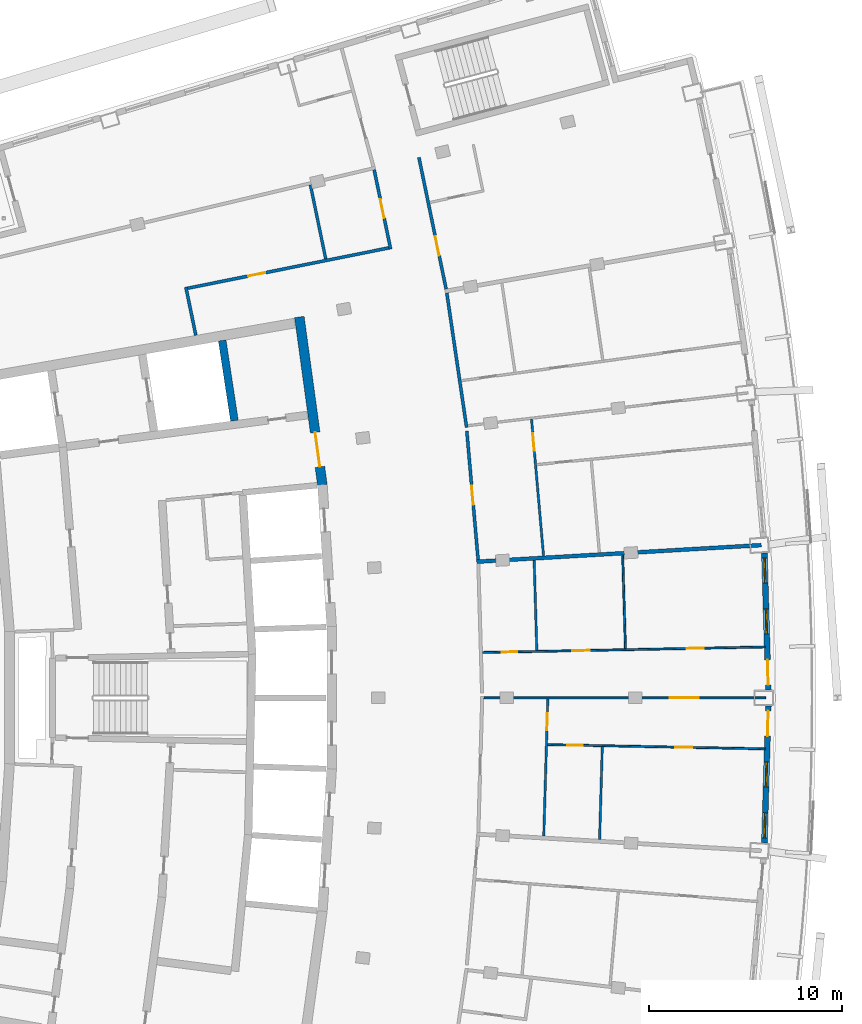
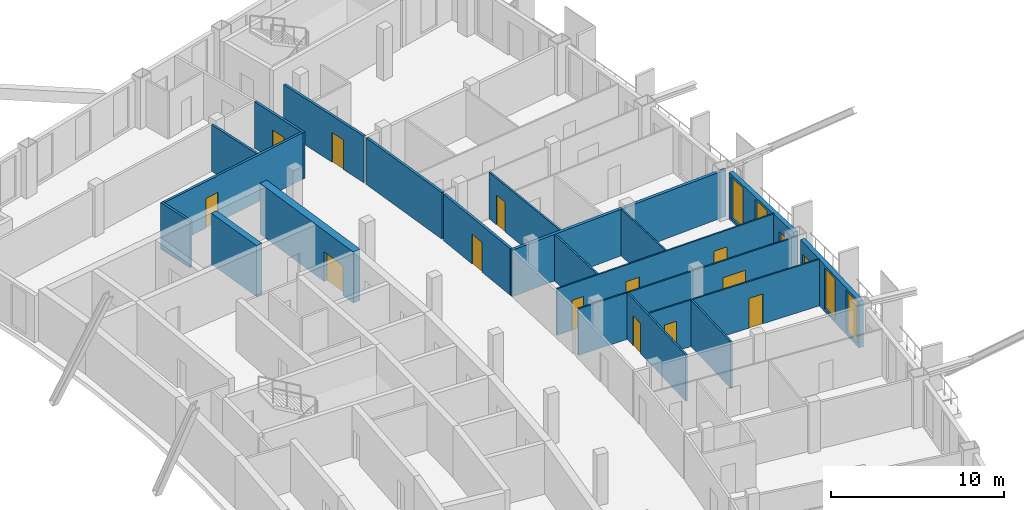
# One storey, part 11 of 17: 20 walls, 15 doors, 4 windows, 19 openings.
"""IFC4 building model written with IfcOpenShell, lengths in metres."""

from ifc_helpers import new_model, si_unit, direction, frame, frame_2d, origin, place, context, subcontext, project, spatial, rectangle, extrude, material, layer, layer_set, type_object, element, fill, save


model = new_model("IFC4")

# Units and contexts
model_context = context("Model", 3, precision=1e-05, world=origin(), true_north=direction((0.0, 1.0)))
body_context = subcontext(model_context, "Body", "Model", "MODEL_VIEW")
ifc_project = project(units=[si_unit("LENGTHUNIT", "METRE"), si_unit("AREAUNIT", "SQUARE_METRE"), si_unit("VOLUMEUNIT", "CUBIC_METRE"), si_unit("PLANEANGLEUNIT", "RADIAN"), si_unit("MASSUNIT", "GRAM", prefix="KILO")], contexts=[model_context])

# Site, building, storey
site_placement = place(None, origin())
site = spatial("IfcSite", under=ifc_project, at=site_placement, CompositionType="ELEMENT")
building_placement = place(site_placement, origin())
building = spatial("IfcBuilding", under=site, at=building_placement, Name="Alderwake Tower", CompositionType="ELEMENT")
storey_placement = place(building_placement, frame((0.0, 0.0, 278.0)))
storey = spatial("IfcBuildingStorey", under=building, at=storey_placement, Name="L69", CompositionType="ELEMENT", Elevation=278.0)

# Wall, opening, door
ifc_material_1 = material(Name="Concrete C70/85", Category="concrete")
ifc_layer_1 = layer(ifc_material_1, 0.5)
ifc_layer_set_1 = layer_set([ifc_layer_1], Name="Core wall outer 500 C70-85")
wall_type_1 = type_object("IfcWallType", Name="Core wall outer 500 C70-85", PredefinedType="SHEAR", material=ifc_layer_set_1)
wall_1_placement = place(storey_placement, frame((31.71728515625, 80.752685546875, 0.0), z_axis=(0.0, 0.0, 1.0), x_axis=(0.1358539401, -0.990728876615, 0.0)))
wall_1 = element("IfcWall", 1, at=wall_1_placement, inside=storey, type_object=wall_type_1, Name="Core wall CW.019", PredefinedType="SHEAR", context=body_context, shape_type="SweptSolid", body=[
    extrude(rectangle(XDim=8.794921875, YDim=0.5, at=frame_2d((4.3974609375, 0.0))), origin(), (0.0, 0.0, 1.0), 3.60009765625),
])
opening_1_placement = place(wall_1_placement, frame((6.0419921875, 0.0, 0.0)))
opening_1 = element("IfcOpeningElement", 2, at=opening_1_placement, cuts=wall_1, Name="Opening C001", PredefinedType="OPENING", context=body_context, shape_type="SweptSolid", body=[
    extrude(rectangle(XDim=1.800048828125, YDim=2.10009765625, at=frame_2d((0.89990234375, 1.050048828125))), frame((0.0, 0.260009765625, 0.0), z_axis=(0.0, -1.0, 0.0), x_axis=(1.0, 0.0, 0.0)), (0.0, 0.0, 1.0), 0.52001953125),
])
ifc_material_2 = material(Name="Steel-framed fire door leaves", Category="steel")
door_type_1 = type_object("IfcDoorType", Name="Core double door 1800 fire-rated", OperationType="DOUBLE_DOOR_SINGLE_SWING", PredefinedType="DOOR", material=ifc_material_2)
door_1_placement = place(opening_1_placement, origin())
door_1 = element("IfcDoor", 3, at=door_1_placement, inside=storey, type_object=door_type_1, Name="Lobby double door", OperationType="DOUBLE_DOOR_SINGLE_SWING", OverallHeight=2.10009765625, OverallWidth=1.800048828125, PredefinedType="DOOR", context=body_context, shape_type="SweptSolid", body=[
    extrude(rectangle(XDim=1.800048828125, YDim=2.10009765625, at=frame_2d((0.89990234375, 1.050048828125))), frame((0.0, 0.02490234375, 0.0), z_axis=(0.0, -1.0, 0.0), x_axis=(1.0, 0.0, 0.0)), (0.0, 0.0, 1.0), 0.050048828125),
])
fill(opening_1, door_1)

# Walls
ifc_material_3 = material(Name="Concrete C70/85", Category="concrete")
ifc_layer_2 = layer(ifc_material_3, 0.39990234375)
ifc_layer_set_2 = layer_set([ifc_layer_2], Name="Core wall spine 400 C70-85")
wall_type_2 = type_object("IfcWallType", Name="Core wall spine 400 C70-85", PredefinedType="SHEAR", material=ifc_layer_set_2)
wall_2_placement = place(storey_placement, frame((28.350830078125, 75.373291015625, 0.0), z_axis=(0.0, 0.0, 1.0), x_axis=(-0.150576223774, 0.988598402201, 0.0)))
element("IfcWall", 4, at=wall_2_placement, inside=storey, type_object=wall_type_2, Name="Core wall CW.001", PredefinedType="SHEAR", context=body_context, shape_type="SweptSolid", body=[
    extrude(rectangle(XDim=4.21240234375, YDim=0.39990234375, at=frame_2d((2.106201171875, 0.0))), origin(), (0.0, 0.0, 1.0), 3.60009765625),
])
ifc_material_4 = material(Name="Gypsum board on metal studs, rated")
ifc_layer_3 = layer(ifc_material_4, 0.159912109375)
ifc_layer_set_3 = layer_set([ifc_layer_3], Name="Corridor wall 160")
wall_type_3 = type_object("IfcWallType", Name="Corridor wall 160", PredefinedType="PARTITIONING", material=ifc_layer_set_3)
wall_3_placement = place(storey_placement, frame((25.831787109375, 82.305419921875, 0.0), z_axis=(0.0, 0.0, 1.0), x_axis=(0.202450797205, -0.979292435747, 0.0)))
element("IfcWall", 5, at=wall_3_placement, inside=storey, type_object=wall_type_3, Name="WL/L69/W12", PredefinedType="PARTITIONING", context=body_context, shape_type="SweptSolid", body=[
    extrude(rectangle(XDim=2.555419921875, YDim=0.159912109375, at=frame_2d((1.27783203125, 0.0))), origin(), (0.0, 0.0, 1.0), 3.280029296875),
])

# Wall, opening, door
wall_4_placement = place(storey_placement, frame((36.451416015625, 84.272705078125, 0.0), z_axis=(0.0, 0.0, 1.0), x_axis=(-0.20329833965, 0.979116839348, 0.0)))
wall_4 = element("IfcWall", 6, at=wall_4_placement, inside=storey, type_object=wall_type_3, Name="WL/L69/W15", PredefinedType="PARTITIONING", context=body_context, shape_type="SweptSolid", body=[
    extrude(rectangle(XDim=4.206787109375, YDim=0.159912109375, at=frame_2d((2.103515625, 0.0))), origin(), (0.0, 0.0, 1.0), 3.280029296875),
])
opening_2_placement = place(wall_4_placement, frame((1.642822265625, 0.0, 0.0)))
opening_2 = element("IfcOpeningElement", 7, at=opening_2_placement, cuts=wall_4, Name="Opening R20-SBN2", PredefinedType="OPENING", context=body_context, shape_type="SweptSolid", body=[
    extrude(rectangle(XDim=1.0, YDim=2.10009765625, at=frame_2d((0.5, 1.050048828125))), frame((0.0, 0.08984375, 0.0), z_axis=(0.0, -1.0, 0.0), x_axis=(1.0, 0.0, 0.0)), (0.0, 0.0, 1.0), 0.179931640625),
])
ifc_material_5 = material(Name="Steel-framed fire door leaf", Category="steel")
door_type_2 = type_object("IfcDoorType", Name="Plant room door 1000 fire-rated", OperationType="SINGLE_SWING_LEFT", PredefinedType="DOOR", material=ifc_material_5)
door_2_placement = place(opening_2_placement, origin())
door_2 = element("IfcDoor", 8, at=door_2_placement, inside=storey, type_object=door_type_2, Name="DR/L69/SBN2", OperationType="SINGLE_SWING_LEFT", OverallHeight=2.10009765625, OverallWidth=1.0, PredefinedType="DOOR", context=body_context, shape_type="SweptSolid", body=[
    extrude(rectangle(XDim=1.0, YDim=2.10009765625, at=frame_2d((0.5, 1.050048828125))), frame((0.0, 0.02490234375, 0.0), z_axis=(0.0, -1.0, 0.0), x_axis=(1.0, 0.0, 0.0)), (0.0, 0.0, 1.0), 0.050048828125),
])
fill(opening_2, door_2)

wall_5_placement = place(storey_placement, frame((25.926513671875, 82.24267578125, 0.0), z_axis=(0.0, 0.0, 1.0), x_axis=(0.98046310274, 0.196703086316, 0.0)))
wall_5 = element("IfcWall", 9, at=wall_5_placement, inside=storey, type_object=wall_type_3, Name="WL/L69/W17", PredefinedType="PARTITIONING", context=body_context, shape_type="SweptSolid", body=[
    extrude(rectangle(XDim=10.637939453125, YDim=0.159912109375, at=frame_2d((5.31884765625, 0.0))), origin(), (0.0, 0.0, 1.0), 3.280029296875),
])
opening_3_placement = place(wall_5_placement, frame((3.208984375, 0.0, 0.0)))
opening_3 = element("IfcOpeningElement", 10, at=opening_3_placement, cuts=wall_5, Name="Opening R20-SBN1", PredefinedType="OPENING", context=body_context, shape_type="SweptSolid", body=[
    extrude(rectangle(XDim=0.89990234375, YDim=2.10009765625, at=frame_2d((0.449951171875, 1.050048828125))), frame((0.0, 0.08984375, 0.0), z_axis=(0.0, -1.0, 0.0), x_axis=(1.0, 0.0, 0.0)), (0.0, 0.0, 1.0), 0.179931640625),
])
ifc_material_6 = material(Name="Painted timber leaf", Category="wood")
door_type_3 = type_object("IfcDoorType", Name="Room door 900", OperationType="SINGLE_SWING_LEFT", PredefinedType="DOOR", material=ifc_material_6)
door_3_placement = place(opening_3_placement, origin())
door_3 = element("IfcDoor", 11, at=door_3_placement, inside=storey, type_object=door_type_3, Name="DR/L69/SBN1", OperationType="SINGLE_SWING_LEFT", OverallHeight=2.10009765625, OverallWidth=0.89990234375, PredefinedType="DOOR", context=body_context, shape_type="SweptSolid", body=[
    extrude(rectangle(XDim=0.89990234375, YDim=2.10009765625, at=frame_2d((0.449951171875, 1.050048828125))), frame((0.0, 0.02490234375, 0.0), z_axis=(0.0, -1.0, 0.0), x_axis=(1.0, 0.0, 0.0)), (0.0, 0.0, 1.0), 0.050048828125),
])
fill(opening_3, door_3)

wall_6_placement = place(storey_placement, frame((37.9169921875, 89.02490234375, 0.0), z_axis=(0.0, 0.0, 1.0), x_axis=(0.202416809878, -0.97929946139, 0.0)))
wall_6 = element("IfcWall", 12, at=wall_6_placement, inside=storey, type_object=wall_type_3, Name="WL/L69/W20", PredefinedType="PARTITIONING", context=body_context, shape_type="SweptSolid", body=[
    extrude(rectangle(XDim=6.97021484375, YDim=0.159912109375, at=frame_2d((3.485107421875, 0.0))), origin(), (0.0, 0.0, 1.0), 3.280029296875),
])
opening_4_placement = place(wall_6_placement, frame((4.187255859375, 0.0, 0.0)))
opening_4 = element("IfcOpeningElement", 13, at=opening_4_placement, cuts=wall_6, Name="Opening R20-U07.1", PredefinedType="OPENING", context=body_context, shape_type="SweptSolid", body=[
    extrude(rectangle(XDim=1.0, YDim=2.10009765625, at=frame_2d((0.5, 1.050048828125))), frame((0.0, 0.08984375, 0.0), z_axis=(0.0, -1.0, 0.0), x_axis=(1.0, 0.0, 0.0)), (0.0, 0.0, 1.0), 0.179931640625),
])
ifc_material_7 = material(Name="Solid timber leaf in steel frame", Category="steel")
door_type_4 = type_object("IfcDoorType", Name="Flat entrance door 1000 fire-rated", OperationType="SINGLE_SWING_LEFT", PredefinedType="DOOR", material=ifc_material_7)
door_4_placement = place(opening_4_placement, origin())
door_4 = element("IfcDoor", 14, at=door_4_placement, inside=storey, type_object=door_type_4, Name="DR/L69/U07.1", OperationType="SINGLE_SWING_LEFT", OverallHeight=2.10009765625, OverallWidth=1.0, PredefinedType="DOOR", context=body_context, shape_type="SweptSolid", body=[
    extrude(rectangle(XDim=1.0, YDim=2.10009765625, at=frame_2d((0.5, 1.050048828125))), frame((0.0, 0.02490234375, 0.0), z_axis=(0.0, -1.0, 0.0), x_axis=(1.0, 0.0, 0.0)), (0.0, 0.0, 1.0), 0.050048828125),
])
fill(opening_4, door_4)

# Wall
wall_7_placement = place(storey_placement, frame((40.388671875, 75.02880859375, 0.0), z_axis=(0.0, 0.0, 1.0), x_axis=(-0.145585733575, 0.98934563939, 0.0)))
element("IfcWall", 15, at=wall_7_placement, inside=storey, type_object=wall_type_3, Name="WL/L69/W22", PredefinedType="PARTITIONING", context=body_context, shape_type="SweptSolid", body=[
    extrude(rectangle(XDim=7.04833984375, YDim=0.159912109375, at=frame_2d((3.524169921875, 0.0))), origin(), (0.0, 0.0, 1.0), 3.280029296875),
])

# Wall, opening, door
wall_8_placement = place(storey_placement, frame((40.400390625, 74.84228515625, 0.0), z_axis=(0.0, 0.0, 1.0), x_axis=(0.087437661692, -0.996169993183, 0.0)))
wall_8 = element("IfcWall", 16, at=wall_8_placement, inside=storey, type_object=wall_type_3, Name="WL/L69/W24", PredefinedType="PARTITIONING", context=body_context, shape_type="SweptSolid", body=[
    extrude(rectangle(XDim=6.701171875, YDim=0.159912109375, at=frame_2d((3.3505859375, 0.0))), origin(), (0.0, 0.0, 1.0), 3.280029296875),
])
opening_5_placement = place(wall_8_placement, frame((2.8505859375, 0.0, 0.0)))
opening_5 = element("IfcOpeningElement", 17, at=opening_5_placement, cuts=wall_8, Name="Opening R20-U06.1", PredefinedType="OPENING", context=body_context, shape_type="SweptSolid", body=[
    extrude(rectangle(XDim=1.0, YDim=2.10009765625, at=frame_2d((0.5, 1.050048828125))), frame((0.0, 0.08984375, 0.0), z_axis=(0.0, -1.0, 0.0), x_axis=(1.0, 0.0, 0.0)), (0.0, 0.0, 1.0), 0.179931640625),
])
door_5_placement = place(opening_5_placement, origin())
door_5 = element("IfcDoor", 18, at=door_5_placement, inside=storey, type_object=door_type_4, Name="DR/L69/U06.1", OperationType="SINGLE_SWING_LEFT", OverallHeight=2.10009765625, OverallWidth=1.0, PredefinedType="DOOR", context=body_context, shape_type="SweptSolid", body=[
    extrude(rectangle(XDim=1.0, YDim=2.10009765625, at=frame_2d((0.5, 1.050048828125))), frame((0.0, 0.02490234375, 0.0), z_axis=(0.0, -1.0, 0.0), x_axis=(1.0, 0.0, 0.0)), (0.0, 0.0, 1.0), 0.050048828125),
])
fill(opening_5, door_5)

# Wall, openings, door, windows
ifc_material_8 = material(Name="Precast concrete C50/60 spandrel panel", Category="concrete")
ifc_layer_4 = layer(ifc_material_8, 0.300048828125)
ifc_layer_set_4 = layer_set([ifc_layer_4], Name="External wall EW1 Precast concrete C50/60 spandrel")
wall_type_4 = type_object("IfcWallType", Name="External wall EW1 Precast concrete C50/60 spandrel", PredefinedType="SOLIDWALL", material=ifc_layer_set_4)
wall_9_placement = place(storey_placement, frame((55.830810546875, 53.48974609375, 0.0), z_axis=(0.0, 0.0, 1.0), x_axis=(0.029158281494, 0.999574806916, 0.0)))
wall_9 = element("IfcWall", 19, at=wall_9_placement, inside=storey, type_object=wall_type_4, Name="External wall 15", PredefinedType="SOLIDWALL", context=body_context, shape_type="SweptSolid", body=[
    extrude(rectangle(XDim=7.091796875, YDim=0.300048828125, at=frame_2d((3.5458984375, 0.0))), origin(), (0.0, 0.0, 1.0), 3.280029296875),
])
opening_6_placement = place(wall_9_placement, frame((0.255615234375, 0.0, 0.199951171875)))
opening_6 = element("IfcOpeningElement", 20, at=opening_6_placement, cuts=wall_9, Name="Opening W1", PredefinedType="OPENING", context=body_context, shape_type="SweptSolid", body=[
    extrude(rectangle(XDim=1.300048828125, YDim=2.89990234375, at=frame_2d((0.64990234375, 1.449951171875))), frame((0.0, 0.159912109375, 0.0), z_axis=(0.0, -1.0, 0.0), x_axis=(1.0, 0.0, 0.0)), (0.0, 0.0, 1.0), 0.320068359375),
])
opening_7_placement = place(wall_9_placement, frame((2.89599609375, 0.0, 0.199951171875)))
opening_7 = element("IfcOpeningElement", 21, at=opening_7_placement, cuts=wall_9, Name="Opening W1", PredefinedType="OPENING", context=body_context, shape_type="SweptSolid", body=[
    extrude(rectangle(XDim=1.300048828125, YDim=2.89990234375, at=frame_2d((0.64990234375, 1.449951171875))), frame((0.0, 0.159912109375, 0.0), z_axis=(0.0, -1.0, 0.0), x_axis=(1.0, 0.0, 0.0)), (0.0, 0.0, 1.0), 0.320068359375),
])
opening_8_placement = place(wall_9_placement, frame((5.5361328125, 0.0, 0.0)))
opening_8 = element("IfcOpeningElement", 22, at=opening_8_placement, cuts=wall_9, Name="Opening D04", PredefinedType="OPENING", context=body_context, shape_type="SweptSolid", body=[
    extrude(rectangle(XDim=1.300048828125, YDim=2.39990234375, at=frame_2d((0.64990234375, 1.199951171875))), frame((0.0, 0.159912109375, 0.0), z_axis=(0.0, -1.0, 0.0), x_axis=(1.0, 0.0, 0.0)), (0.0, 0.0, 1.0), 0.320068359375),
])
ifc_material_9 = material(Name="Bronze tinted glass in aluminium frame", Category="aluminium")
door_type_5 = type_object("IfcDoorType", Name="Balcony door BD sliding", OperationType="SLIDING_TO_LEFT", PredefinedType="DOOR", material=ifc_material_9)
door_6_placement = place(opening_8_placement, origin())
door_6 = element("IfcDoor", 23, at=door_6_placement, inside=storey, type_object=door_type_5, Name="Door D04", OperationType="SLIDING_TO_LEFT", OverallHeight=2.39990234375, OverallWidth=1.300048828125, PredefinedType="DOOR", context=body_context, shape_type="SweptSolid", body=[
    extrude(rectangle(XDim=1.300048828125, YDim=2.39990234375, at=frame_2d((0.64990234375, 1.199951171875))), frame((0.0, 0.02490234375, 0.0), z_axis=(0.0, -1.0, 0.0), x_axis=(1.0, 0.0, 0.0)), (0.0, 0.0, 1.0), 0.050048828125),
])
fill(opening_8, door_6)
ifc_material_10 = material(Name="Bronze tinted glass in aluminium frame", Category="aluminium")
window_type = type_object("IfcWindowType", Name="Window W1 tall fixed and vent", PartitioningType="DOUBLE_PANEL_VERTICAL", PredefinedType="WINDOW", material=ifc_material_10)
window_1_placement = place(opening_6_placement, origin())
window_1 = element("IfcWindow", 24, at=window_1_placement, inside=storey, type_object=window_type, Name="Window W1 tall fixed and vent", OverallHeight=2.89990234375, OverallWidth=1.300048828125, PartitioningType="DOUBLE_PANEL_VERTICAL", PredefinedType="WINDOW", context=body_context, shape_type="SweptSolid", body=[
    extrude(rectangle(XDim=1.300048828125, YDim=2.89990234375, at=frame_2d((0.64990234375, 1.449951171875))), frame((0.0, 0.030029296875, 0.0), z_axis=(0.0, -1.0, 0.0), x_axis=(1.0, 0.0, 0.0)), (0.0, 0.0, 1.0), 0.06005859375),
])
fill(opening_6, window_1)
window_2_placement = place(opening_7_placement, origin())
window_2 = element("IfcWindow", 25, at=window_2_placement, inside=storey, type_object=window_type, Name="Window W1 tall fixed and vent", OverallHeight=2.89990234375, OverallWidth=1.300048828125, PartitioningType="DOUBLE_PANEL_VERTICAL", PredefinedType="WINDOW", context=body_context, shape_type="SweptSolid", body=[
    extrude(rectangle(XDim=1.300048828125, YDim=2.89990234375, at=frame_2d((0.64990234375, 1.449951171875))), frame((0.0, 0.030029296875, 0.0), z_axis=(0.0, -1.0, 0.0), x_axis=(1.0, 0.0, 0.0)), (0.0, 0.0, 1.0), 0.06005859375),
])
fill(opening_7, window_2)

wall_10_placement = place(storey_placement, frame((56.03759765625, 61.42138671875, 0.0), z_axis=(0.0, 0.0, 1.0), x_axis=(-0.029158281494, 0.999574806916, 0.0)))
wall_10 = element("IfcWall", 26, at=wall_10_placement, inside=storey, type_object=wall_type_4, Name="External wall 16", PredefinedType="SOLIDWALL", context=body_context, shape_type="SweptSolid", body=[
    extrude(rectangle(XDim=7.091796875, YDim=0.300048828125, at=frame_2d((3.5458984375, 0.0))), origin(), (0.0, 0.0, 1.0), 3.280029296875),
])
opening_9_placement = place(wall_10_placement, frame((0.255615234375, 0.0, 0.0)))
opening_9 = element("IfcOpeningElement", 27, at=opening_9_placement, cuts=wall_10, Name="Opening D05", PredefinedType="OPENING", context=body_context, shape_type="SweptSolid", body=[
    extrude(rectangle(XDim=1.300048828125, YDim=2.39990234375, at=frame_2d((0.64990234375, 1.199951171875))), frame((0.0, 0.159912109375, 0.0), z_axis=(0.0, -1.0, 0.0), x_axis=(1.0, 0.0, 0.0)), (0.0, 0.0, 1.0), 0.320068359375),
])
opening_10_placement = place(wall_10_placement, frame((2.89599609375, 0.0, 0.199951171875)))
opening_10 = element("IfcOpeningElement", 28, at=opening_10_placement, cuts=wall_10, Name="Opening W1", PredefinedType="OPENING", context=body_context, shape_type="SweptSolid", body=[
    extrude(rectangle(XDim=1.300048828125, YDim=2.89990234375, at=frame_2d((0.64990234375, 1.449951171875))), frame((0.0, 0.159912109375, 0.0), z_axis=(0.0, -1.0, 0.0), x_axis=(1.0, 0.0, 0.0)), (0.0, 0.0, 1.0), 0.320068359375),
])
opening_11_placement = place(wall_10_placement, frame((5.5361328125, 0.0, 0.199951171875)))
opening_11 = element("IfcOpeningElement", 29, at=opening_11_placement, cuts=wall_10, Name="Opening W1", PredefinedType="OPENING", context=body_context, shape_type="SweptSolid", body=[
    extrude(rectangle(XDim=1.300048828125, YDim=2.89990234375, at=frame_2d((0.64990234375, 1.449951171875))), frame((0.0, 0.159912109375, 0.0), z_axis=(0.0, -1.0, 0.0), x_axis=(1.0, 0.0, 0.0)), (0.0, 0.0, 1.0), 0.320068359375),
])
door_7_placement = place(opening_9_placement, origin())
door_7 = element("IfcDoor", 30, at=door_7_placement, inside=storey, type_object=door_type_5, Name="Door D05", OperationType="SLIDING_TO_LEFT", OverallHeight=2.39990234375, OverallWidth=1.300048828125, PredefinedType="DOOR", context=body_context, shape_type="SweptSolid", body=[
    extrude(rectangle(XDim=1.300048828125, YDim=2.39990234375, at=frame_2d((0.64990234375, 1.199951171875))), frame((0.0, 0.02490234375, 0.0), z_axis=(0.0, -1.0, 0.0), x_axis=(1.0, 0.0, 0.0)), (0.0, 0.0, 1.0), 0.050048828125),
])
fill(opening_9, door_7)
window_3_placement = place(opening_10_placement, origin())
window_3 = element("IfcWindow", 31, at=window_3_placement, inside=storey, type_object=window_type, Name="Window W1 tall fixed and vent", OverallHeight=2.89990234375, OverallWidth=1.300048828125, PartitioningType="DOUBLE_PANEL_VERTICAL", PredefinedType="WINDOW", context=body_context, shape_type="SweptSolid", body=[
    extrude(rectangle(XDim=1.300048828125, YDim=2.89990234375, at=frame_2d((0.64990234375, 1.449951171875))), frame((0.0, 0.030029296875, 0.0), z_axis=(0.0, -1.0, 0.0), x_axis=(1.0, 0.0, 0.0)), (0.0, 0.0, 1.0), 0.06005859375),
])
fill(opening_10, window_3)
window_4_placement = place(opening_11_placement, origin())
window_4 = element("IfcWindow", 32, at=window_4_placement, inside=storey, type_object=window_type, Name="Window W1 tall fixed and vent", OverallHeight=2.89990234375, OverallWidth=1.300048828125, PartitioningType="DOUBLE_PANEL_VERTICAL", PredefinedType="WINDOW", context=body_context, shape_type="SweptSolid", body=[
    extrude(rectangle(XDim=1.300048828125, YDim=2.89990234375, at=frame_2d((0.64990234375, 1.449951171875))), frame((0.0, 0.030029296875, 0.0), z_axis=(0.0, -1.0, 0.0), x_axis=(1.0, 0.0, 0.0)), (0.0, 0.0, 1.0), 0.06005859375),
])
fill(opening_11, window_4)

# Walls
ifc_material_11 = material(Name="Dense block masonry wall", Category="masonry")
ifc_layer_5 = layer(ifc_material_11, 0.199951171875)
ifc_layer_set_5 = layer_set([ifc_layer_5], Name="Party wall 200")
wall_type_5 = type_object("IfcWallType", Name="Party wall 200", PredefinedType="SOLIDWALL", material=ifc_layer_set_5)
wall_11_placement = place(storey_placement, frame((55.66796875, 68.922119140625, 0.0), z_axis=(0.0, 0.0, 1.0), x_axis=(-0.99830578901, -0.058185493296, 0.0)))
element("IfcWall", 33, at=wall_11_placement, inside=storey, type_object=wall_type_5, Name="WL/L69/W03", PredefinedType="SOLIDWALL", context=body_context, shape_type="SweptSolid", body=[
    extrude(rectangle(XDim=14.778076171875, YDim=0.199951171875, at=frame_2d((7.38916015625, 0.0))), origin(), (0.0, 0.0, 1.0), 3.280029296875),
])
ifc_material_12 = material(Name="Gypsum shaft wall system, rated")
ifc_layer_6 = layer(ifc_material_12, 0.14990234375)
ifc_layer_set_6 = layer_set([ifc_layer_6], Name="Riser and shaft wall 150")
wall_type_6 = type_object("IfcWallType", Name="Riser and shaft wall 150", PredefinedType="PARTITIONING", material=ifc_layer_set_6)
wall_12_placement = place(storey_placement, frame((33.085693359375, 83.76025390625, 0.0), z_axis=(0.0, 0.0, 1.0), x_axis=(-0.2025562632, 0.97927062666, 0.0)))
element("IfcWall", 34, at=wall_12_placement, inside=storey, type_object=wall_type_6, Name="WL/L69/W05", PredefinedType="PARTITIONING", context=body_context, shape_type="SweptSolid", body=[
    extrude(rectangle(XDim=3.9267578125, YDim=0.14990234375, at=frame_2d((1.96337890625, 0.0))), origin(), (0.0, 0.0, 1.0), 3.280029296875),
])

# Wall, openings, doors
ifc_material_13 = material(Name="Gypsum board on metal studs")
ifc_layer_7 = layer(ifc_material_13, 0.10009765625)
ifc_layer_set_7 = layer_set([ifc_layer_7], Name="Unit partition 100")
wall_type_7 = type_object("IfcWallType", Name="Unit partition 100", PredefinedType="PARTITIONING", material=ifc_layer_set_7)
wall_13_placement = place(storey_placement, frame((41.2099609375, 63.355712890625, 0.0), z_axis=(0.0, 0.0, 1.0), x_axis=(0.999809309532, 0.019528045825, 0.0)))
wall_13 = element("IfcWall", 35, at=wall_13_placement, inside=storey, type_object=wall_type_7, Name="WL/L69/W46", PredefinedType="PARTITIONING", context=body_context, shape_type="SweptSolid", body=[
    extrude(rectangle(XDim=14.664794921875, YDim=0.10009765625, at=frame_2d((7.33251953125, 0.0))), origin(), (0.0, 0.0, 1.0), 3.280029296875),
])
opening_12_placement = place(wall_13_placement, frame((4.668701171875, 0.0, 0.0)))
opening_12 = element("IfcOpeningElement", 36, at=opening_12_placement, cuts=wall_13, Name="Opening R20-U05.5", PredefinedType="OPENING", context=body_context, shape_type="SweptSolid", body=[
    extrude(rectangle(XDim=0.89990234375, YDim=2.10009765625, at=frame_2d((0.449951171875, 1.050048828125))), frame((0.0, 0.06005859375, 0.0), z_axis=(0.0, -1.0, 0.0), x_axis=(1.0, 0.0, 0.0)), (0.0, 0.0, 1.0), 0.1201171875),
])
opening_13_placement = place(wall_13_placement, frame((1.010009765625, 0.0, 0.0)))
opening_13 = element("IfcOpeningElement", 37, at=opening_13_placement, cuts=wall_13, Name="Opening R20-U05.6", PredefinedType="OPENING", context=body_context, shape_type="SweptSolid", body=[
    extrude(rectangle(XDim=0.800048828125, YDim=2.10009765625, at=frame_2d((0.39990234375, 1.050048828125))), frame((0.0, 0.06005859375, 0.0), z_axis=(0.0, -1.0, 0.0), x_axis=(1.0, 0.0, 0.0)), (0.0, 0.0, 1.0), 0.1201171875),
])
opening_14_placement = place(wall_13_placement, frame((10.590576171875, 0.0, 0.0)))
opening_14 = element("IfcOpeningElement", 38, at=opening_14_placement, cuts=wall_13, Name="Opening R20-U05.7", PredefinedType="OPENING", context=body_context, shape_type="SweptSolid", body=[
    extrude(rectangle(XDim=0.89990234375, YDim=2.10009765625, at=frame_2d((0.449951171875, 1.050048828125))), frame((0.0, 0.06005859375, 0.0), z_axis=(0.0, -1.0, 0.0), x_axis=(1.0, 0.0, 0.0)), (0.0, 0.0, 1.0), 0.1201171875),
])
ifc_material_14 = material(Name="Painted timber leaf", Category="wood")
door_type_6 = type_object("IfcDoorType", Name="Bathroom door 800", OperationType="SINGLE_SWING_LEFT", PredefinedType="DOOR", material=ifc_material_14)
door_8_placement = place(opening_13_placement, origin())
door_8 = element("IfcDoor", 39, at=door_8_placement, inside=storey, type_object=door_type_6, Name="DR/L69/U05.6", OperationType="SINGLE_SWING_LEFT", OverallHeight=2.10009765625, OverallWidth=0.800048828125, PredefinedType="DOOR", context=body_context, shape_type="SweptSolid", body=[
    extrude(rectangle(XDim=0.800048828125, YDim=2.10009765625, at=frame_2d((0.39990234375, 1.050048828125))), frame((0.0, 0.02490234375, 0.0), z_axis=(0.0, -1.0, 0.0), x_axis=(1.0, 0.0, 0.0)), (0.0, 0.0, 1.0), 0.050048828125),
])
fill(opening_13, door_8)
door_9_placement = place(opening_12_placement, origin())
door_9 = element("IfcDoor", 40, at=door_9_placement, inside=storey, type_object=door_type_3, Name="DR/L69/U05.5", OperationType="SINGLE_SWING_LEFT", OverallHeight=2.10009765625, OverallWidth=0.89990234375, PredefinedType="DOOR", context=body_context, shape_type="SweptSolid", body=[
    extrude(rectangle(XDim=0.89990234375, YDim=2.10009765625, at=frame_2d((0.449951171875, 1.050048828125))), frame((0.0, 0.02490234375, 0.0), z_axis=(0.0, -1.0, 0.0), x_axis=(1.0, 0.0, 0.0)), (0.0, 0.0, 1.0), 0.050048828125),
])
fill(opening_12, door_9)
door_10_placement = place(opening_14_placement, origin())
door_10 = element("IfcDoor", 41, at=door_10_placement, inside=storey, type_object=door_type_3, Name="DR/L69/U05.7", OperationType="SINGLE_SWING_LEFT", OverallHeight=2.10009765625, OverallWidth=0.89990234375, PredefinedType="DOOR", context=body_context, shape_type="SweptSolid", body=[
    extrude(rectangle(XDim=0.89990234375, YDim=2.10009765625, at=frame_2d((0.449951171875, 1.050048828125))), frame((0.0, 0.02490234375, 0.0), z_axis=(0.0, -1.0, 0.0), x_axis=(1.0, 0.0, 0.0)), (0.0, 0.0, 1.0), 0.050048828125),
])
fill(opening_14, door_10)

# Wall, opening, door
wall_14_placement = place(storey_placement, frame((41.279052734375, 60.9990234375, 0.0), z_axis=(0.0, 0.0, 1.0), x_axis=(1.0, 0.0, 0.0)))
wall_14 = element("IfcWall", 42, at=wall_14_placement, inside=storey, type_object=wall_type_7, Name="WL/L69/W47", PredefinedType="PARTITIONING", context=body_context, shape_type="SweptSolid", body=[
    extrude(rectangle(XDim=14.619873046875, YDim=0.10009765625, at=frame_2d((7.31005859375, 0.0))), origin(), (0.0, 0.0, 1.0), 3.280029296875),
])
opening_15_placement = place(wall_14_placement, frame((9.654296875, 0.0, 0.0)))
opening_15 = element("IfcOpeningElement", 43, at=opening_15_placement, cuts=wall_14, Name="Opening R20-U05.8", PredefinedType="OPENING", context=body_context, shape_type="SweptSolid", body=[
    extrude(rectangle(XDim=1.5, YDim=2.10009765625, at=frame_2d((0.75, 1.050048828125))), frame((0.0, 0.06005859375, 0.0), z_axis=(0.0, -1.0, 0.0), x_axis=(1.0, 0.0, 0.0)), (0.0, 0.0, 1.0), 0.1201171875),
])
ifc_material_15 = material(Name="Painted timber leaves", Category="wood")
door_type_7 = type_object("IfcDoorType", Name="Double leaf door 1500", OperationType="DOUBLE_DOOR_SINGLE_SWING", PredefinedType="DOOR", material=ifc_material_15)
door_11_placement = place(opening_15_placement, origin())
door_11 = element("IfcDoor", 44, at=door_11_placement, inside=storey, type_object=door_type_7, Name="DR/L69/U05.8", OperationType="DOUBLE_DOOR_SINGLE_SWING", OverallHeight=2.10009765625, OverallWidth=1.5, PredefinedType="DOOR", context=body_context, shape_type="SweptSolid", body=[
    extrude(rectangle(XDim=1.5, YDim=2.10009765625, at=frame_2d((0.75, 1.050048828125))), frame((0.0, 0.02490234375, 0.0), z_axis=(0.0, -1.0, 0.0), x_axis=(1.0, 0.0, 0.0)), (0.0, 0.0, 1.0), 0.050048828125),
])
fill(opening_15, door_11)

# Wall, openings, doors
wall_15_placement = place(storey_placement, frame((55.8720703125, 58.35888671875, 0.0), z_axis=(0.0, 0.0, 1.0), x_axis=(-0.999813368299, 0.019319124481, 0.0)))
wall_15 = element("IfcWall", 45, at=wall_15_placement, inside=storey, type_object=wall_type_7, Name="WL/L69/W49", PredefinedType="PARTITIONING", context=body_context, shape_type="SweptSolid", body=[
    extrude(rectangle(XDim=11.28515625, YDim=0.10009765625, at=frame_2d((5.642578125, 0.0))), origin(), (0.0, 0.0, 1.0), 3.280029296875),
])
opening_16_placement = place(wall_15_placement, frame((9.465576171875, 0.0, 0.0)))
opening_16 = element("IfcOpeningElement", 46, at=opening_16_placement, cuts=wall_15, Name="Opening R20-U05.3", PredefinedType="OPENING", context=body_context, shape_type="SweptSolid", body=[
    extrude(rectangle(XDim=0.800048828125, YDim=2.10009765625, at=frame_2d((0.39990234375, 1.050048828125))), frame((0.0, 0.06005859375, 0.0), z_axis=(0.0, -1.0, 0.0), x_axis=(1.0, 0.0, 0.0)), (0.0, 0.0, 1.0), 0.1201171875),
])
opening_17_placement = place(wall_15_placement, frame((3.7734375, 0.0, 0.0)))
opening_17 = element("IfcOpeningElement", 47, at=opening_17_placement, cuts=wall_15, Name="Opening R20-U05.4", PredefinedType="OPENING", context=body_context, shape_type="SweptSolid", body=[
    extrude(rectangle(XDim=0.89990234375, YDim=2.10009765625, at=frame_2d((0.449951171875, 1.050048828125))), frame((0.0, 0.06005859375, 0.0), z_axis=(0.0, -1.0, 0.0), x_axis=(1.0, 0.0, 0.0)), (0.0, 0.0, 1.0), 0.1201171875),
])
door_12_placement = place(opening_16_placement, origin())
door_12 = element("IfcDoor", 48, at=door_12_placement, inside=storey, type_object=door_type_6, Name="DR/L69/U05.3", OperationType="SINGLE_SWING_LEFT", OverallHeight=2.10009765625, OverallWidth=0.800048828125, PredefinedType="DOOR", context=body_context, shape_type="SweptSolid", body=[
    extrude(rectangle(XDim=0.800048828125, YDim=2.10009765625, at=frame_2d((0.39990234375, 1.050048828125))), frame((0.0, 0.02490234375, 0.0), z_axis=(0.0, -1.0, 0.0), x_axis=(1.0, 0.0, 0.0)), (0.0, 0.0, 1.0), 0.050048828125),
])
fill(opening_16, door_12)
door_13_placement = place(opening_17_placement, origin())
door_13 = element("IfcDoor", 49, at=door_13_placement, inside=storey, type_object=door_type_3, Name="DR/L69/U05.4", OperationType="SINGLE_SWING_LEFT", OverallHeight=2.10009765625, OverallWidth=0.89990234375, PredefinedType="DOOR", context=body_context, shape_type="SweptSolid", body=[
    extrude(rectangle(XDim=0.89990234375, YDim=2.10009765625, at=frame_2d((0.449951171875, 1.050048828125))), frame((0.0, 0.02490234375, 0.0), z_axis=(0.0, -1.0, 0.0), x_axis=(1.0, 0.0, 0.0)), (0.0, 0.0, 1.0), 0.050048828125),
])
fill(opening_17, door_13)

# Wall
wall_16_placement = place(storey_placement, frame((48.62548828125, 63.551025390625, 0.0), z_axis=(0.0, 0.0, 1.0), x_axis=(-0.029378355509, 0.999568362959, 0.0)))
element("IfcWall", 50, at=wall_16_placement, inside=storey, type_object=wall_type_7, Name="WL/L69/W53", PredefinedType="PARTITIONING", context=body_context, shape_type="SweptSolid", body=[
    extrude(rectangle(XDim=4.853271484375, YDim=0.10009765625, at=frame_2d((2.4267578125, 0.0))), origin(), (0.0, 0.0, 1.0), 3.280029296875),
])

# Wall, opening, door
ifc_material_16 = material(Name="Moisture resistant gypsum board on metal studs")
ifc_layer_8 = layer(ifc_material_16, 0.1201171875)
ifc_layer_set_8 = layer_set([ifc_layer_8], Name="Wet room partition 120")
wall_type_8 = type_object("IfcWallType", Name="Wet room partition 120", PredefinedType="PARTITIONING", material=ifc_layer_set_8)
wall_17_placement = place(storey_placement, frame((43.75634765625, 75.4541015625, 0.0), z_axis=(0.0, 0.0, 1.0), x_axis=(0.087513351383, -0.996163346711, 0.0)))
wall_17 = element("IfcWall", 51, at=wall_17_placement, inside=storey, type_object=wall_type_8, Name="WL/L69/W37", PredefinedType="PARTITIONING", context=body_context, shape_type="SweptSolid", body=[
    extrude(rectangle(XDim=7.11669921875, YDim=0.1201171875, at=frame_2d((3.558349609375, 0.0))), origin(), (0.0, 0.0, 1.0), 3.280029296875),
])
opening_18_placement = place(wall_17_placement, frame((0.736328125, 0.0, 0.0)))
opening_18 = element("IfcOpeningElement", 52, at=opening_18_placement, cuts=wall_17, Name="Opening R20-U06.2", PredefinedType="OPENING", context=body_context, shape_type="SweptSolid", body=[
    extrude(rectangle(XDim=0.89990234375, YDim=2.10009765625, at=frame_2d((0.449951171875, 1.050048828125))), frame((0.0, 0.070068359375, 0.0), z_axis=(0.0, -1.0, 0.0), x_axis=(1.0, 0.0, 0.0)), (0.0, 0.0, 1.0), 0.14013671875),
])
door_14_placement = place(opening_18_placement, origin())
door_14 = element("IfcDoor", 53, at=door_14_placement, inside=storey, type_object=door_type_3, Name="DR/L69/U06.2", OperationType="SINGLE_SWING_LEFT", OverallHeight=2.10009765625, OverallWidth=0.89990234375, PredefinedType="DOOR", context=body_context, shape_type="SweptSolid", body=[
    extrude(rectangle(XDim=0.89990234375, YDim=2.10009765625, at=frame_2d((0.449951171875, 1.050048828125))), frame((0.0, 0.02490234375, 0.0), z_axis=(0.0, -1.0, 0.0), x_axis=(1.0, 0.0, 0.0)), (0.0, 0.0, 1.0), 0.050048828125),
])
fill(opening_18, door_14)

# Wall
wall_18_placement = place(storey_placement, frame((44.029541015625, 63.4609375, 0.0), z_axis=(0.0, 0.0, 1.0), x_axis=(-0.029237951874, 0.999572479698, 0.0)))
element("IfcWall", 54, at=wall_18_placement, inside=storey, type_object=wall_type_8, Name="WL/L69/W38", PredefinedType="PARTITIONING", context=body_context, shape_type="SweptSolid", body=[
    extrude(rectangle(XDim=4.676025390625, YDim=0.1201171875, at=frame_2d((2.337890625, 0.0))), origin(), (0.0, 0.0, 1.0), 3.280029296875),
])

# Wall, opening, door
wall_19_placement = place(storey_placement, frame((44.599609375, 60.948974609375, 0.0), z_axis=(0.0, 0.0, 1.0), x_axis=(-0.029333519004, -0.999569679744, 0.0)))
wall_19 = element("IfcWall", 55, at=wall_19_placement, inside=storey, type_object=wall_type_8, Name="WL/L69/W39", PredefinedType="PARTITIONING", context=body_context, shape_type="SweptSolid", body=[
    extrude(rectangle(XDim=7.1162109375, YDim=0.1201171875, at=frame_2d((3.55810546875, 0.0))), origin(), (0.0, 0.0, 1.0), 3.280029296875),
])
opening_19_placement = place(wall_19_placement, frame((0.735595703125, 0.0, 0.0)))
opening_19 = element("IfcOpeningElement", 56, at=opening_19_placement, cuts=wall_19, Name="Opening R20-U05.2", PredefinedType="OPENING", context=body_context, shape_type="SweptSolid", body=[
    extrude(rectangle(XDim=0.89990234375, YDim=2.10009765625, at=frame_2d((0.449951171875, 1.050048828125))), frame((0.0, 0.070068359375, 0.0), z_axis=(0.0, -1.0, 0.0), x_axis=(1.0, 0.0, 0.0)), (0.0, 0.0, 1.0), 0.14013671875),
])
door_15_placement = place(opening_19_placement, origin())
door_15 = element("IfcDoor", 57, at=door_15_placement, inside=storey, type_object=door_type_3, Name="DR/L69/U05.2", OperationType="SINGLE_SWING_LEFT", OverallHeight=2.10009765625, OverallWidth=0.89990234375, PredefinedType="DOOR", context=body_context, shape_type="SweptSolid", body=[
    extrude(rectangle(XDim=0.89990234375, YDim=2.10009765625, at=frame_2d((0.449951171875, 1.050048828125))), frame((0.0, 0.02490234375, 0.0), z_axis=(0.0, -1.0, 0.0), x_axis=(1.0, 0.0, 0.0)), (0.0, 0.0, 1.0), 0.050048828125),
])
fill(opening_19, door_15)

# Wall
wall_20_placement = place(storey_placement, frame((47.285888671875, 53.66796875, 0.0), z_axis=(0.0, 0.0, 1.0), x_axis=(0.029063100448, 0.999577578876, 0.0)))
element("IfcWall", 58, at=wall_20_placement, inside=storey, type_object=wall_type_8, Name="WL/L69/W40", PredefinedType="PARTITIONING", context=body_context, shape_type="SweptSolid", body=[
    extrude(rectangle(XDim=4.804931640625, YDim=0.1201171875, at=frame_2d((2.40234375, 0.0))), origin(), (0.0, 0.0, 1.0), 3.280029296875),
])

save(model, "model.ifc")
